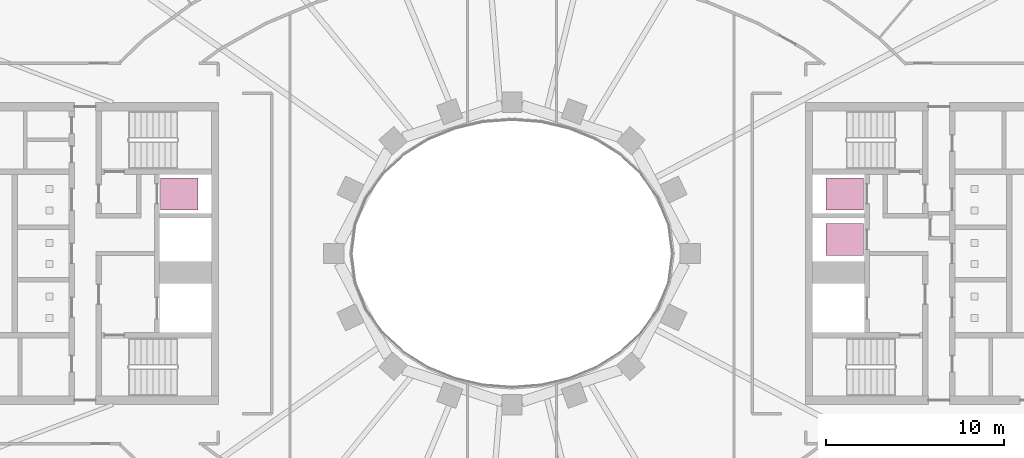
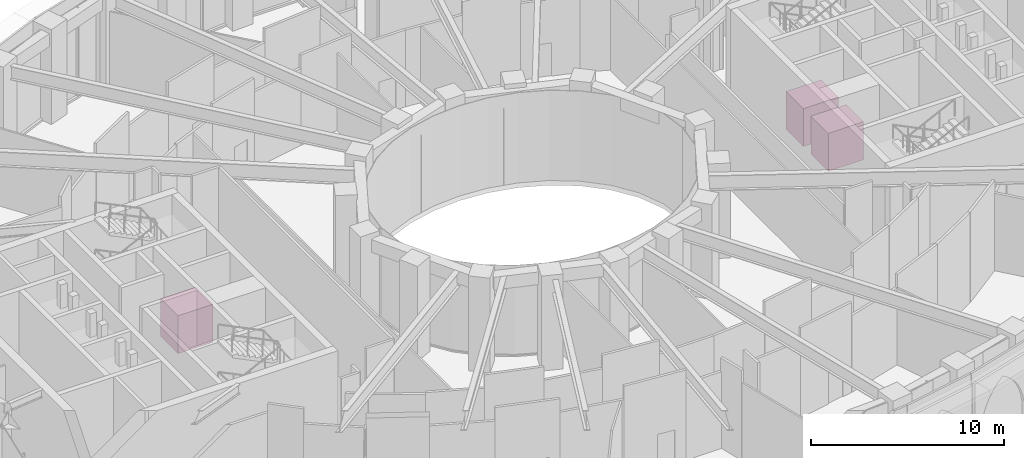
# One storey, part 23 of 23: 3 transport elements.
"""IFC4 building model written with IfcOpenShell, lengths in metres."""

from ifc_helpers import new_model, si_unit, direction, frame, origin, origin_2d, place, context, subcontext, project, spatial, rectangle, extrude, material, type_object, element, save


model = new_model("IFC4")

# Units and contexts
model_context = context("Model", 3, precision=1e-05, world=origin(), true_north=direction((0.0, 1.0)))
body_context = subcontext(model_context, "Body", "Model", "MODEL_VIEW")
ifc_project = project(units=[si_unit("LENGTHUNIT", "METRE"), si_unit("AREAUNIT", "SQUARE_METRE"), si_unit("VOLUMEUNIT", "CUBIC_METRE"), si_unit("PLANEANGLEUNIT", "RADIAN"), si_unit("MASSUNIT", "GRAM", prefix="KILO")], contexts=[model_context])

# Site, building, storey
site_placement = place(None, origin())
site = spatial("IfcSite", under=ifc_project, at=site_placement, CompositionType="ELEMENT")
building_placement = place(site_placement, origin())
building = spatial("IfcBuilding", under=site, at=building_placement, Name="Noorbagh Ring Tower", CompositionType="ELEMENT")
storey_placement = place(building_placement, frame((0.0, 0.0, 140.0)))
storey = spatial("IfcBuildingStorey", under=building, at=storey_placement, Name="L32", CompositionType="ELEMENT", Elevation=140.0)

# Transport elements
ifc_material = material(Name="Brushed stainless steel", Category="steel")
transport_element_type = type_object("IfcTransportElementType", Name="CORE-LIFT-HR", PredefinedType="ELEVATOR", material=ifc_material)
for number, where, z_axis, x_axis, name in (
    (1, (-18.699951171875, 3.35009765625, 0.0), (0.0, 0.0, 1.0), (1.0, 0.0, 0.0), "Lift HR1"),
    (2, (18.699951171875, 0.77490234375, 0.0), (0.0, 0.0, 1.0), (1.0, 0.0, 0.0), "Lift HR7"),
    (3, (18.699951171875, 3.35009765625, 0.0), (0.0, 0.0, 1.0), (1.0, 0.0, 0.0), "Lift HR8"),
):
    element("IfcTransportElement", number, at=place(storey_placement, frame(where, z_axis=z_axis, x_axis=x_axis)), inside=storey, type_object=transport_element_type, Name=name, PredefinedType="ELEVATOR", context=body_context, shape_type="SweptSolid", body=[
        extrude(rectangle(XDim=2.10009765625, YDim=1.800048828125, at=origin_2d()), origin(), (0.0, 0.0, 1.0), 2.39990234375),
    ])

save(model, "model.ifc")
